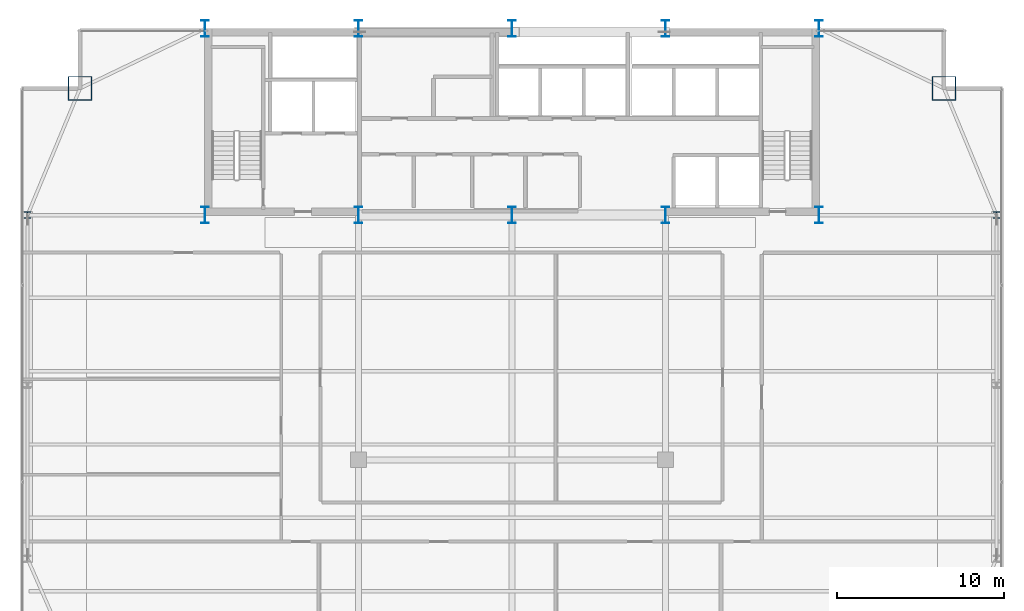
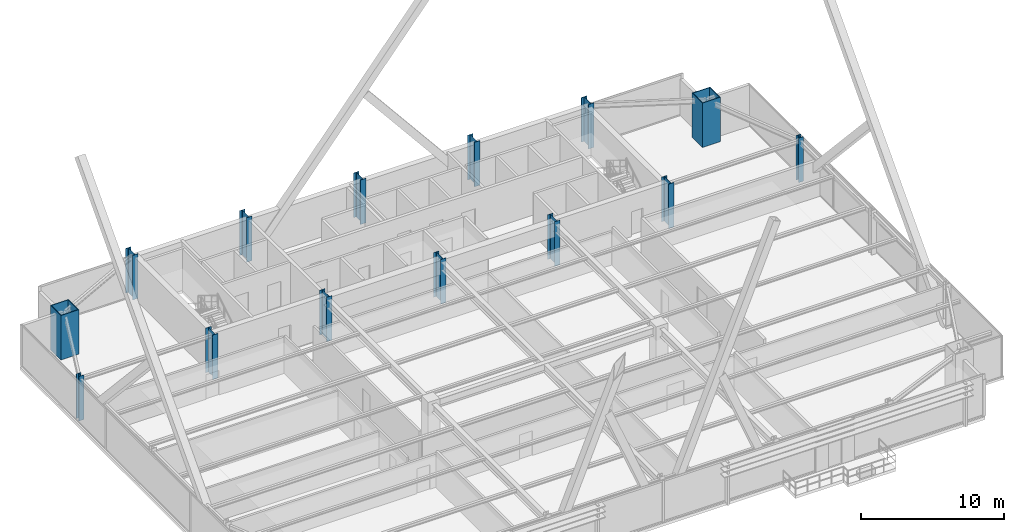
# One storey, part 2 of 38: 14 columns.
"""IFC4 building model written with IfcOpenShell, lengths in metres."""

from ifc_helpers import new_model, si_unit, direction, frame, origin, origin_2d, place, context, subcontext, project, spatial, hollow_rectangle, i_section, extrude, source, transform, mapped, material, material_profile, profile_set, type_object, type_shapes, element, save


model = new_model("IFC4")

# Units and contexts
model_context = context("Model", 3, precision=1e-05, world=origin(), true_north=direction((0.0, 1.0)))
body_context = subcontext(model_context, "Body", "Model", "MODEL_VIEW")
ifc_project = project(units=[si_unit("LENGTHUNIT", "METRE"), si_unit("AREAUNIT", "SQUARE_METRE"), si_unit("VOLUMEUNIT", "CUBIC_METRE"), si_unit("PLANEANGLEUNIT", "RADIAN"), si_unit("MASSUNIT", "GRAM", prefix="KILO")], contexts=[model_context])

# Site, building, storey
site_placement = place(None, origin())
site = spatial("IfcSite", under=ifc_project, at=site_placement, CompositionType="ELEMENT")
building_placement = place(site_placement, origin())
building = spatial("IfcBuilding", under=site, at=building_placement, Name="Varnel Quay Broadcast Tower", CompositionType="ELEMENT")
storey_placement = place(building_placement, frame((0.0, 0.0, 118.199951171875)))
storey = spatial("IfcBuildingStorey", under=building, at=storey_placement, Name="L28", CompositionType="ELEMENT", Elevation=118.199951171875)

# Columns
ifc_material_1 = material(Name="Structural Steel CSA G40.21 350WT", Category="steel")
ifc_material_profile_1 = material_profile(ifc_material_1, i_section(OverallWidth=0.449951171875, OverallDepth=1.0, WebThickness=0.01611328125, FlangeThickness=0.030029296875, FilletRadius=0.01611328125, at=origin_2d()), Name="WWF1000X362")
ifc_profile_set_1 = profile_set([ifc_material_profile_1], Name="Structural Steel CSA G40.21 350WT")
column_type_1 = type_object("IfcColumnType", Name="Col_WWF1000X362", PredefinedType="COLUMN", material=ifc_profile_set_1)
shared_shape_1 = source(origin(), body_context, "Body", "SweptSolid", [
    extrude(i_section(OverallWidth=0.449951171875, OverallDepth=1.0, WebThickness=0.01611328125, FlangeThickness=0.030029296875, FilletRadius=0.01611328125, at=origin_2d()), origin(), (0.0, 0.0, 1.0), 3.800048828125),
])
type_shapes(column_type_1, [shared_shape_1])
for number, where, z_axis, x_axis, name in (
    (1, (15.60009765625, 35.60009765625, 0.0), (0.0, 0.0, 1.0), (1.0, 0.0, 0.0), "L28 Column CC-S1"),
    (2, (15.60009765625, 46.800048828125, 0.0), (0.0, 0.0, 1.0), (1.0, 0.0, 0.0), "L28 Column CC-N1"),
    (3, (24.800048828125, 35.60009765625, 0.0), (0.0, 0.0, 1.0), (1.0, 0.0, 0.0), "L28 Column CC-S2"),
    (4, (24.800048828125, 46.800048828125, 0.0), (0.0, 0.0, 1.0), (1.0, 0.0, 0.0), "L28 Column CC-N2"),
    (5, (34.0, 35.60009765625, 0.0), (0.0, 0.0, 1.0), (1.0, 0.0, 0.0), "L28 Column CC-S3"),
    (6, (34.0, 46.800048828125, 0.0), (0.0, 0.0, 1.0), (1.0, 0.0, 0.0), "L28 Column CC-N3"),
    (7, (43.199951171875, 35.60009765625, 0.0), (0.0, 0.0, 1.0), (1.0, 0.0, 0.0), "L28 Column CC-S4"),
    (8, (43.199951171875, 46.800048828125, 0.0), (0.0, 0.0, 1.0), (1.0, 0.0, 0.0), "L28 Column CC-N4"),
    (9, (52.39990234375, 35.60009765625, 0.0), (0.0, 0.0, 1.0), (1.0, 0.0, 0.0), "L28 Column CC-S5"),
    (10, (52.39990234375, 46.800048828125, 0.0), (0.0, 0.0, 1.0), (1.0, 0.0, 0.0), "L28 Column CC-N5"),
):
    element("IfcColumn", number, at=place(storey_placement, frame(where, z_axis=z_axis, x_axis=x_axis)), inside=storey, type_object=column_type_1, Name=name, PredefinedType="COLUMN", context=body_context, shape_type="MappedRepresentation", body=[
        mapped(shared_shape_1, transform((0.0, 0.0, 0.0), x_axis=(1.0, 0.0, 0.0), y_axis=(0.0, 1.0, 0.0), z_axis=(0.0, 0.0, 1.0), scale=1.0)),
    ])
ifc_material_profile_2 = material_profile(ifc_material_1, hollow_rectangle(XDim=1.449951171875, YDim=1.449951171875, WallThickness=0.054931640625, at=origin_2d()), Name="BOX1450X1450X55")
ifc_profile_set_2 = profile_set([ifc_material_profile_2], Name="Structural Steel CSA G40.21 350WT")
column_type_2 = type_object("IfcColumnType", Name="Col_BOX1450X1450X55", PredefinedType="COLUMN", material=ifc_profile_set_2)
shared_shape_2 = source(origin(), body_context, "Body", "SweptSolid", [
    extrude(hollow_rectangle(XDim=1.449951171875, YDim=1.449951171875, WallThickness=0.054931640625, at=origin_2d()), origin(), (0.0, 0.0, 1.0), 3.800048828125),
])
type_shapes(column_type_2, [shared_shape_2])
for number, where, z_axis, x_axis, name in (
    (11, (59.89990234375, 43.199951171875, 0.0), (0.0, 0.0, 1.0), (1.0, 0.0, 0.0), "L28 Column MC-NE"),
    (12, (8.10009765625, 43.199951171875, 0.0), (0.0, 0.0, 1.0), (1.0, 0.0, 0.0), "L28 Column MC-NW"),
):
    element("IfcColumn", number, at=place(storey_placement, frame(where, z_axis=z_axis, x_axis=x_axis)), inside=storey, type_object=column_type_2, Name=name, PredefinedType="COLUMN", context=body_context, shape_type="MappedRepresentation", body=[
        mapped(shared_shape_2, transform((0.0, 0.0, 0.0), x_axis=(1.0, 0.0, 0.0), y_axis=(0.0, 1.0, 0.0), z_axis=(0.0, 0.0, 1.0), scale=1.0)),
    ])
ifc_material_2 = material(Name="Structural Steel CSA G40.21 350W", Category="steel")
ifc_material_profile_3 = material_profile(ifc_material_2, i_section(OverallWidth=0.39794921875, OverallDepth=0.386962890625, WebThickness=0.02099609375, FlangeThickness=0.033203125, FilletRadius=0.01806640625, at=origin_2d()), Name="W360X262")
ifc_profile_set_3 = profile_set([ifc_material_profile_3], Name="Structural Steel CSA G40.21 350W")
column_type_3 = type_object("IfcColumnType", Name="Col_W360X262", PredefinedType="COLUMN", material=ifc_profile_set_3)
shared_shape_3 = source(origin(), body_context, "Body", "SweptSolid", [
    extrude(i_section(OverallWidth=0.39794921875, OverallDepth=0.386962890625, WebThickness=0.02099609375, FlangeThickness=0.033203125, FilletRadius=0.01806640625, at=origin_2d()), origin(), (0.0, 0.0, 1.0), 3.800048828125),
])
type_shapes(column_type_3, [shared_shape_3])
for number, where, z_axis, x_axis, name in (
    (13, (4.949951171875, 35.60009765625, 0.0), (0.0, 0.0, 1.0), (1.0, 0.0, 0.0), "L28 Column TC-W3"),
    (14, (63.050048828125, 35.60009765625, 0.0), (0.0, 0.0, 1.0), (1.0, 0.0, 0.0), "L28 Column TC-E3"),
):
    element("IfcColumn", number, at=place(storey_placement, frame(where, z_axis=z_axis, x_axis=x_axis)), inside=storey, type_object=column_type_3, Name=name, PredefinedType="COLUMN", context=body_context, shape_type="MappedRepresentation", body=[
        mapped(shared_shape_3, transform((0.0, 0.0, 0.0), x_axis=(1.0, 0.0, 0.0), y_axis=(0.0, 1.0, 0.0), z_axis=(0.0, 0.0, 1.0), scale=1.0)),
    ])

save(model, "model.ifc")
